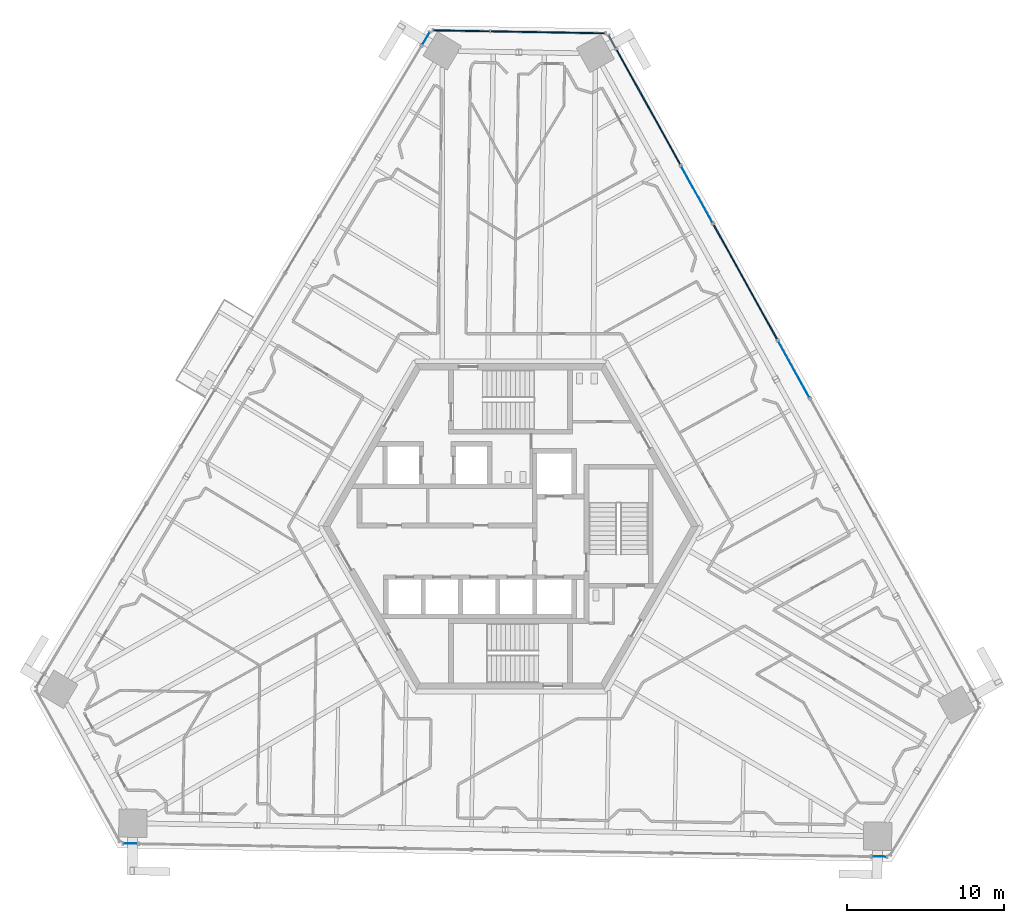
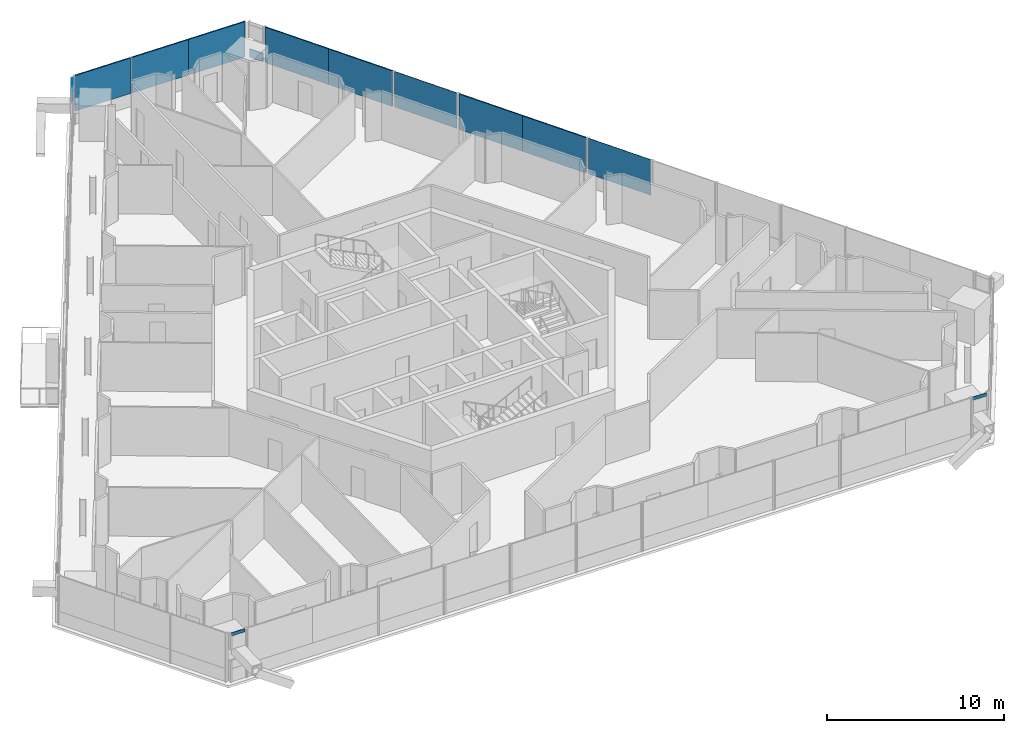
# One storey, part 13 of 24: 13 plates, 9 elements without a shape of their own.
"""IFC4 building model written with IfcOpenShell, lengths in metres."""

import ifcopenshell
import ifcopenshell.guid

model = None  # the IFC model being written
_history = None  # IfcOwnerHistory: only IFC2X3 demands one
_inside = {}  # id of a spatial element -> (the spatial element, [elements in it])
_under = {}  # id of a project, library or spatial element -> (it, [spatial elements below it])
_declared = {}  # id of a project -> (the project, [libraries it declares])
_typed = {}  # id of a type object -> (the type object, [elements of that type])
_made_of = {}  # id of a material, layer set ... -> (it, [elements and type objects made of it])


def new_model(schema):
    """Start an empty IFC model of exactly this schema.

    Asked for "IFC4X3", IfcOpenShell would pick the latest addendum, in which some entities
    have other attributes; the version numbers below select the first issue.
    IFC2X3 requires an IfcOwnerHistory on every rooted entity: one is made here for all.
    """
    global model, _history
    if schema == "IFC4X3":
        model = ifcopenshell.file(schema_version=(4, 3, 0, 0))
    else:
        model = ifcopenshell.file(schema=schema)
    _inside.clear()
    _under.clear()
    _declared.clear()
    _typed.clear()
    _made_of.clear()
    _history = None
    if model.schema == "IFC2X3":
        org = make("IfcOrganization", Name="unknown")
        user = make(
            "IfcPersonAndOrganization",
            ThePerson=make("IfcPerson", FamilyName="unknown"),
            TheOrganization=org,
        )
        app = make(
            "IfcApplication",
            ApplicationDeveloper=org,
            Version="unknown",
            ApplicationFullName="unknown",
            ApplicationIdentifier="unknown",
        )
        _history = make(
            "IfcOwnerHistory",
            OwningUser=user,
            OwningApplication=app,
            ChangeAction="ADDED",
            CreationDate=0,
        )
    return model


def make(cls, **values):
    """One entity of the class cls with the attributes given. An attribute that is None is left unset."""
    return model.create_entity(
        cls, **{name: value for name, value in values.items() if value is not None}
    )


def rooted(cls, **values):
    """An entity with a GlobalId (a new one), such as an element, a storey or a relation."""
    return make(cls, GlobalId=ifcopenshell.guid.new(), OwnerHistory=_history, **values)


def si_unit(unit_type, name, prefix=None):
    """IfcSIUnit, for example si_unit("LENGTHUNIT", "METRE", prefix="MILLI")."""
    return make("IfcSIUnit", UnitType=unit_type, Prefix=prefix, Name=name)


def assignment(units):
    """IfcUnitAssignment: the units of a project."""
    return None if units is None else make("IfcUnitAssignment", Units=units)


def point(xyz):
    """IfcCartesianPoint."""
    return None if xyz is None else make("IfcCartesianPoint", Coordinates=xyz)


def direction(xyz):
    """IfcDirection."""
    return None if xyz is None else make("IfcDirection", DirectionRatios=xyz)


def frame(location, z_axis=None, x_axis=None):
    """IfcAxis2Placement3D, a coordinate frame: its origin and axes. An axis left out is left unset."""
    return make(
        "IfcAxis2Placement3D",
        Location=point(location),
        Axis=direction(z_axis),
        RefDirection=direction(x_axis),
    )


def frame_2d(location, x_axis=None):
    """IfcAxis2Placement2D, a coordinate frame in the plane: its origin and x axis."""
    return make(
        "IfcAxis2Placement2D", Location=point(location), RefDirection=direction(x_axis)
    )


def origin():
    """The frame at (0, 0, 0) with its axes left unset."""
    return frame((0.0, 0.0, 0.0))


def origin_2d():
    """The frame at (0, 0) in the plane with its x axis left unset."""
    return frame_2d((0.0, 0.0))


def place(relative_to, where):
    """IfcLocalPlacement: puts the frame where relative to a parent placement (None: the world)."""
    return make(
        "IfcLocalPlacement", PlacementRelTo=relative_to, RelativePlacement=where
    )


def context(
    kind, dimensions, precision=None, world=None, true_north=None, identifier=None
):
    """IfcGeometricRepresentationContext, for example the 3D "Model" context."""
    return make(
        "IfcGeometricRepresentationContext",
        ContextIdentifier=identifier,
        ContextType=kind,
        CoordinateSpaceDimension=dimensions,
        Precision=precision,
        WorldCoordinateSystem=world,
        TrueNorth=true_north,
    )


def subcontext(parent, identifier, kind, view, scale=None):
    """IfcGeometricRepresentationSubContext, for example "Body" below "Model"."""
    return make(
        "IfcGeometricRepresentationSubContext",
        ContextIdentifier=identifier,
        ContextType=kind,
        ParentContext=parent,
        TargetScale=scale,
        TargetView=view,
    )


def project(units=None, contexts=None):
    """IfcProject with its units and contexts."""
    return rooted(
        "IfcProject",
        Name="project",
        RepresentationContexts=contexts,
        UnitsInContext=assignment(units),
    )


def spatial(cls, under=None, at=None, **own):
    """A site, building, storey or space (cls), placed at a placement, below another one or the project."""
    s = rooted(cls, ObjectPlacement=at, **own)
    if under is not None:
        _under.setdefault(under.id(), (under, []))[1].append(s)
    return s


def profile(cls, at=None, kind="AREA", **sizes):
    """A parametric profile (cls). Its sizes go by their IFC names, for example OverallWidth=200.0."""
    return make(cls, ProfileType=kind, Position=at, **sizes)


def rectangle(**sizes):
    """IfcRectangleProfileDef."""
    return profile("IfcRectangleProfileDef", **sizes)


def extrude(swept, where, along, depth):
    """IfcExtrudedAreaSolid: the profile swept, set in the frame where, extruded along a direction by depth."""
    return make(
        "IfcExtrudedAreaSolid",
        SweptArea=swept,
        Position=where,
        ExtrudedDirection=direction(along),
        Depth=depth,
    )


def shape(context_of_items, identifier, shape_type, items):
    """IfcShapeRepresentation: the items that make up one representation, for example the "Body"."""
    return make(
        "IfcShapeRepresentation",
        ContextOfItems=context_of_items,
        RepresentationIdentifier=identifier,
        RepresentationType=shape_type,
        Items=items,
    )


def source(mapping_origin, context_of_items, identifier, shape_type, items):
    """IfcRepresentationMap: a shape defined once, which mapped items show again and again."""
    return make(
        "IfcRepresentationMap",
        MappingOrigin=mapping_origin,
        MappedRepresentation=shape(context_of_items, identifier, shape_type, items),
    )


def transform(
    local_origin,
    x_axis=None,
    y_axis=None,
    z_axis=None,
    scale=None,
    scale2=None,
    scale3=None,
    uniform=True,
):
    """IfcCartesianTransformationOperator3D, or its non-uniform kind. x_axis, y_axis, z_axis: its Axis1, 2, 3."""
    if uniform:
        return make(
            "IfcCartesianTransformationOperator3D",
            Axis1=direction(x_axis),
            Axis2=direction(y_axis),
            LocalOrigin=point(local_origin),
            Scale=scale,
            Axis3=direction(z_axis),
        )
    return make(
        "IfcCartesianTransformationOperator3DnonUniform",
        Axis1=direction(x_axis),
        Axis2=direction(y_axis),
        LocalOrigin=point(local_origin),
        Scale=scale,
        Axis3=direction(z_axis),
        Scale2=scale2,
        Scale3=scale3,
    )


def mapped(mapping_source, mapping_target):
    """IfcMappedItem: shows the shape of a source again, moved by a transform."""
    return make(
        "IfcMappedItem", MappingSource=mapping_source, MappingTarget=mapping_target
    )


def material(Name=None, Category=None):
    """IfcMaterial."""
    return make("IfcMaterial", Name=Name, Category=Category)


def layer(
    of_material, thickness, ventilated=None, Name=None, Category=None, Priority=None
):
    """IfcMaterialLayer: one layer of a wall or slab, of a material (None: an air gap)."""
    return make(
        "IfcMaterialLayer",
        Material=of_material,
        LayerThickness=thickness,
        IsVentilated=ventilated,
        Name=Name,
        Category=Category,
        Priority=Priority,
    )


def layer_set(layers, Name=None):
    """IfcMaterialLayerSet."""
    return make("IfcMaterialLayerSet", MaterialLayers=layers, LayerSetName=Name)


def made_of(thing, what):
    """Note that an element or type object is made of a material, layer set ...; save() writes the relation."""
    if what is not None:
        _made_of.setdefault(what.id(), (what, []))[1].append(thing)
    return thing


def type_object(cls, material=None, **own):
    """A type object (cls), such as IfcWallType, which elements share."""
    return made_of(rooted(cls, **own), material)


def element(
    cls,
    number,
    at=None,
    inside=None,
    cuts=None,
    type_object=None,
    material=None,
    context=None,
    identifier="Body",
    shape_type=None,
    held_by="IfcProductDefinitionShape",
    body=None,
    shapes=None,
    **own,
):
    """One element of the class cls, such as IfcWall. Its Tag is "e" and its number.

    at: its placement. inside: the storey or other place that contains it. cuts: it is an
    opening in that element (IfcRelVoidsElement). A single representation is given by context,
    identifier, shape_type and body (its items); several are given by shapes. held_by: the class
    of the entity that holds the representations. save() writes the other relations.
    """
    e = rooted(cls, Tag="e%d" % number, ObjectPlacement=at, **own)
    if body is not None:
        shapes = [shape(context, identifier, shape_type, body)]
    if shapes is not None:
        e.Representation = make(held_by, Representations=shapes)
    if inside is not None:
        _inside.setdefault(inside.id(), (inside, []))[1].append(e)
    if cuts is not None:
        rooted(
            "IfcRelVoidsElement", RelatingBuildingElement=cuts, RelatedOpeningElement=e
        )
    if type_object is not None:
        _typed.setdefault(type_object.id(), (type_object, []))[1].append(e)
    return made_of(e, material)


def aggregate(whole, parts):
    """IfcRelAggregates: a whole, such as a stair, and the parts it consists of."""
    return rooted("IfcRelAggregates", RelatingObject=whole, RelatedObjects=parts)


def save(model, path):
    """Write the relations noted so far, then the file.

    IfcRelAggregates (storeys below a building ...), IfcRelContainedInSpatialStructure (elements
    in a storey), IfcRelDefinesByType, IfcRelAssociatesMaterial and IfcRelDeclares: one each for
    every whole, place, type object, material and project.
    """
    for whole, parts in _under.values():
        aggregate(whole, parts)
    for where, things in _inside.values():
        rooted(
            "IfcRelContainedInSpatialStructure",
            RelatedElements=things,
            RelatingStructure=where,
        )
    for kind, things in _typed.values():
        rooted("IfcRelDefinesByType", RelatedObjects=things, RelatingType=kind)
    for what, things in _made_of.values():
        rooted("IfcRelAssociatesMaterial", RelatedObjects=things, RelatingMaterial=what)
    for by, libraries in _declared.values():
        rooted("IfcRelDeclares", RelatingContext=by, RelatedDefinitions=libraries)
    model.write(path)


model = new_model("IFC4")

# Units and contexts
model_context = context("Model", 3, precision=1e-05, world=origin(), true_north=direction((0.0, 1.0)))
body_context = subcontext(model_context, "Body", "Model", "MODEL_VIEW")
ifc_project = project(units=[si_unit("LENGTHUNIT", "METRE"), si_unit("AREAUNIT", "SQUARE_METRE"), si_unit("VOLUMEUNIT", "CUBIC_METRE"), si_unit("PLANEANGLEUNIT", "RADIAN"), si_unit("MASSUNIT", "GRAM", prefix="KILO")], contexts=[model_context])

# Site, building, storey
site_placement = place(None, origin())
site = spatial("IfcSite", under=ifc_project, at=site_placement, CompositionType="ELEMENT")
building_placement = place(site_placement, origin())
building = spatial("IfcBuilding", under=site, at=building_placement, Name="Triune Harvest Tower", CompositionType="ELEMENT")
storey_placement = place(building_placement, frame((0.0, 0.0, 212.300048828125)))
storey = spatial("IfcBuildingStorey", under=building, at=storey_placement, Name="L55", CompositionType="ELEMENT", Elevation=212.300048828125)

# Curtain wall, plate
ifc_material_1 = material(Name="Aluminium bronze anodised", Category="aluminium")
curtain_wall_type_1 = type_object("IfcCurtainWallType", Name="CW-1 Tower stick curtain wall", PredefinedType="NOTDEFINED", material=ifc_material_1)
curtain_wall_1_placement = place(storey_placement, origin())
curtain_wall_1 = element("IfcCurtainWall", 1, at=curtain_wall_1_placement, inside=storey, type_object=curtain_wall_type_1, Name="CW-1 B5-F5 L55 run 101")
ifc_material_2 = material(Name="Glass", Category="glass")
ifc_layer_1 = layer(ifc_material_2, 0.031982421875)
ifc_layer_set_1 = layer_set([ifc_layer_1], Name="Glass")
plate_type_1 = type_object("IfcPlateType", Name="GL-1 panel 32", PredefinedType="CURTAIN_PANEL", material=ifc_layer_set_1)
shared_shape_1 = source(origin(), body_context, "Body", "SweptSolid", [
    extrude(rectangle(XDim=0.896728515625, YDim=0.031982421875, at=origin_2d()), origin(), (0.0, 0.0, 1.0), 0.215087890625),
])
plate_1_placement = place(storey_placement, frame((-24.27734375, -20.256591796875, 3.134765625), z_axis=(0.0, 0.0, 1.0), x_axis=(0.999848834448, -0.017387013935, 0.0)))
plate_1 = element("IfcPlate", 2, at=plate_1_placement, type_object=plate_type_1, Name="CW-1 panel B5-F5 101.1", PredefinedType="CURTAIN_PANEL", context=body_context, shape_type="MappedRepresentation", body=[
    mapped(shared_shape_1, transform((0.0, 0.0, 0.0), scale=1.0)),
])
aggregate(curtain_wall_1, [plate_1])

# Curtain wall, plates
ifc_material_3 = material(Name="Aluminium bronze anodised", Category="aluminium")
curtain_wall_type_2 = type_object("IfcCurtainWallType", Name="CW-7 Tower stick curtain wall with insulated spandrel infill", PredefinedType="NOTDEFINED", material=ifc_material_3)
curtain_wall_2_placement = place(storey_placement, origin())
curtain_wall_2 = element("IfcCurtainWall", 3, at=curtain_wall_2_placement, inside=storey, type_object=curtain_wall_type_2, Name="CW-7 B5-F1 L55 run 4201")
ifc_material_4 = material(Name="Insulated spandrel panel, bronze aluminium pan", Category="aluminium")
ifc_layer_2 = layer(ifc_material_4, 0.080078125)
ifc_layer_set_2 = layer_set([ifc_layer_2], Name="Insulated spandrel panel, bronze aluminium pan")
plate_type_2 = type_object("IfcPlateType", Name="SP-1 insulated spandrel panel 80", PredefinedType="CURTAIN_PANEL", material=ifc_layer_set_2)
shared_shape_2 = source(origin(), body_context, "Body", "SweptSolid", [
    extrude(rectangle(XDim=4.178955078125, YDim=0.080078125, at=origin_2d()), origin(), (0.0, 0.0, 1.0), 2.449951171875),
])
plate_2_placement = place(storey_placement, frame((16.004150390625, 13.777587890625, 0.89990234375), z_axis=(0.0, 0.0, 1.0), x_axis=(-0.484807416178, 0.874620928871, 0.0)))
plate_2 = element("IfcPlate", 4, at=plate_2_placement, type_object=plate_type_2, Name="CW-7 panel B5-F1 4201.1", PredefinedType="CURTAIN_PANEL", context=body_context, shape_type="MappedRepresentation", body=[
    mapped(shared_shape_2, transform((0.0, 0.0, 0.0), scale=1.0)),
])
plate_3_placement = place(storey_placement, frame((13.97802734375, 17.4326171875, 0.89990234375), z_axis=(0.0, 0.0, 1.0), x_axis=(-0.484807416178, 0.874620928871, 0.0)))
plate_3 = element("IfcPlate", 5, at=plate_3_placement, type_object=plate_type_2, Name="CW-7 panel B5-F1 4201.2", PredefinedType="CURTAIN_PANEL", context=body_context, shape_type="MappedRepresentation", body=[
    mapped(shared_shape_2, transform((0.0, 0.0, 0.0), scale=1.0)),
])
aggregate(curtain_wall_2, [plate_2, plate_3])

curtain_wall_3_placement = place(storey_placement, origin())
curtain_wall_3 = element("IfcCurtainWall", 6, at=curtain_wall_3_placement, inside=storey, type_object=curtain_wall_type_2, Name="CW-7 B5-F1 L55 run 6201")
plate_4_placement = place(storey_placement, frame((9.817138671875, 24.939453125, 0.89990234375), z_axis=(0.0, 0.0, 1.0), x_axis=(-0.484812400091, 0.874618166241, 0.0)))
plate_4 = element("IfcPlate", 7, at=plate_4_placement, type_object=plate_type_2, Name="CW-7 panel B5-F1 6201.1", PredefinedType="CURTAIN_PANEL", context=body_context, shape_type="MappedRepresentation", body=[
    mapped(shared_shape_2, transform((0.0, 0.0, 0.0), scale=1.0)),
])
plate_5_placement = place(storey_placement, frame((7.791015625, 28.594482421875, 0.89990234375), z_axis=(0.0, 0.0, 1.0), x_axis=(-0.484812400091, 0.874618166241, 0.0)))
plate_5 = element("IfcPlate", 8, at=plate_5_placement, type_object=plate_type_2, Name="CW-7 panel B5-F1 6201.2", PredefinedType="CURTAIN_PANEL", context=body_context, shape_type="MappedRepresentation", body=[
    mapped(shared_shape_2, transform((0.0, 0.0, 0.0), scale=1.0)),
])
aggregate(curtain_wall_3, [plate_4, plate_5])

# Curtain wall, plate
curtain_wall_4_placement = place(storey_placement, origin())
curtain_wall_4 = element("IfcCurtainWall", 9, at=curtain_wall_4_placement, inside=storey, type_object=curtain_wall_type_1, Name="CW-1 B5-F1 L55 run 3201")
shared_shape_3 = source(origin(), body_context, "Body", "SweptSolid", [
    extrude(rectangle(XDim=4.10400390625, YDim=0.031982421875, at=origin_2d()), origin(), (0.0, 0.0, 1.0), 2.449951171875),
])
plate_6_placement = place(storey_placement, frame((18.084716796875, 10.0244140625, 0.89990234375), z_axis=(0.0, 0.0, 1.0), x_axis=(-0.484826375259, 0.874610419475, 0.0)))
plate_6 = element("IfcPlate", 10, at=plate_6_placement, type_object=plate_type_1, Name="CW-1 panel B5-F1 3201.1", PredefinedType="CURTAIN_PANEL", context=body_context, shape_type="MappedRepresentation", body=[
    mapped(shared_shape_3, transform((0.0, 0.0, 0.0), scale=1.0)),
])
aggregate(curtain_wall_4, [plate_6])

curtain_wall_5_placement = place(storey_placement, origin())
curtain_wall_5 = element("IfcCurtainWall", 11, at=curtain_wall_5_placement, inside=storey, type_object=curtain_wall_type_1, Name="CW-1 B5-F1 L55 run 5201")
plate_7_placement = place(storey_placement, frame((11.8974609375, 21.18603515625, 0.89990234375), z_axis=(0.0, 0.0, 1.0), x_axis=(-0.484798424921, 0.874625912716, 0.0)))
plate_7 = element("IfcPlate", 12, at=plate_7_placement, type_object=plate_type_1, Name="CW-1 panel B5-F1 5201.1", PredefinedType="CURTAIN_PANEL", context=body_context, shape_type="MappedRepresentation", body=[
    mapped(shared_shape_3, transform((0.0, 0.0, 0.0), scale=1.0)),
])
aggregate(curtain_wall_5, [plate_7])

curtain_wall_6_placement = place(storey_placement, origin())
curtain_wall_6 = element("IfcCurtainWall", 13, at=curtain_wall_6_placement, inside=storey, type_object=curtain_wall_type_2, Name="CW-7 B5-F1 L55 run 301")
shared_shape_4 = source(origin(), body_context, "Body", "SweptSolid", [
    extrude(rectangle(XDim=0.89697265625, YDim=0.080078125, at=origin_2d()), origin(), (0.0, 0.0, 1.0), 0.56494140625),
])
plate_8_placement = place(storey_placement, frame((6.48779296875, 30.9453125, 0.89990234375), z_axis=(0.0, 0.0, 1.0), x_axis=(-0.484823649537, 0.874611930429, 0.0)))
plate_8 = element("IfcPlate", 14, at=plate_8_placement, type_object=plate_type_2, Name="CW-7 panel B5-F1 301.1", PredefinedType="CURTAIN_PANEL", context=body_context, shape_type="MappedRepresentation", body=[
    mapped(shared_shape_4, transform((0.0, 0.0, 0.0), scale=1.0)),
])
aggregate(curtain_wall_6, [plate_8])

curtain_wall_7_placement = place(storey_placement, origin())
curtain_wall_7 = element("IfcCurtainWall", 15, at=curtain_wall_7_placement, inside=storey, type_object=curtain_wall_type_1, Name="CW-1 B5-F5 L55 run 401")
shared_shape_5 = source(origin(), body_context, "Body", "SweptSolid", [
    extrude(rectangle(XDim=0.89697265625, YDim=0.031982421875, at=origin_2d()), origin(), (0.0, 0.0, 1.0), 0.215087890625),
])
plate_9_placement = place(storey_placement, frame((23.5556640625, -21.09130859375, 3.134765625), z_axis=(0.0, 0.0, 1.0), x_axis=(0.999848863324, -0.017385353313, 0.0)))
plate_9 = element("IfcPlate", 16, at=plate_9_placement, type_object=plate_type_1, Name="CW-1 panel B5-F5 401.1", PredefinedType="CURTAIN_PANEL", context=body_context, shape_type="MappedRepresentation", body=[
    mapped(shared_shape_5, transform((0.0, 0.0, 0.0), scale=1.0)),
])
aggregate(curtain_wall_7, [plate_9])

# Curtain wall, plates
curtain_wall_8_placement = place(storey_placement, origin())
curtain_wall_8 = element("IfcCurtainWall", 17, at=curtain_wall_8_placement, inside=storey, type_object=curtain_wall_type_2, Name="CW-7 B5-F2 L55 run 1")
shared_shape_6 = source(origin(), body_context, "Body", "SweptSolid", [
    extrude(rectangle(XDim=3.625, YDim=0.080078125, at=origin_2d()), origin(), (0.0, 0.0, 1.0), 2.449951171875),
])
plate_10_placement = place(storey_placement, frame((4.213134765625, 31.516357421875, 0.89990234375), z_axis=(0.0, 0.0, 1.0), x_axis=(-0.999847801404, 0.017446318452, 0.0)))
plate_10 = element("IfcPlate", 18, at=plate_10_placement, type_object=plate_type_2, Name="CW-7 panel B5-F2 1.1", PredefinedType="CURTAIN_PANEL", context=body_context, shape_type="MappedRepresentation", body=[
    mapped(shared_shape_6, transform((0.0, 0.0, 0.0), scale=1.0)),
])
shared_shape_7 = source(origin(), body_context, "Body", "SweptSolid", [
    extrude(rectangle(XDim=3.66259765625, YDim=0.080078125, at=origin_2d()), origin(), (0.0, 0.0, 1.0), 2.449951171875),
])
plate_11_placement = place(storey_placement, frame((0.570068359375, 31.580078125, 0.89990234375), z_axis=(0.0, 0.0, 1.0), x_axis=(-0.999847801404, 0.017446318452, 0.0)))
plate_11 = element("IfcPlate", 19, at=plate_11_placement, type_object=plate_type_2, Name="CW-7 panel B5-F2 1.2", PredefinedType="CURTAIN_PANEL", context=body_context, shape_type="MappedRepresentation", body=[
    mapped(shared_shape_7, transform((0.0, 0.0, 0.0), scale=1.0)),
])
shared_shape_8 = source(origin(), body_context, "Body", "SweptSolid", [
    extrude(rectangle(XDim=3.587646484375, YDim=0.080078125, at=origin_2d()), origin(), (0.0, 0.0, 1.0), 2.449951171875),
])
plate_12_placement = place(storey_placement, frame((-3.129638671875, 31.64453125, 0.89990234375), z_axis=(0.0, 0.0, 1.0), x_axis=(-0.999847801404, 0.017446318452, 0.0)))
plate_12 = element("IfcPlate", 20, at=plate_12_placement, type_object=plate_type_2, Name="CW-7 panel B5-F2 1.3", PredefinedType="CURTAIN_PANEL", context=body_context, shape_type="MappedRepresentation", body=[
    mapped(shared_shape_8, transform((0.0, 0.0, 0.0), scale=1.0)),
])
aggregate(curtain_wall_8, [plate_10, plate_11, plate_12])

# Curtain wall, plate
ifc_material_5 = material(Name="Aluminium bronze anodised", Category="aluminium")
curtain_wall_type_3 = type_object("IfcCurtainWallType", Name="CW-6 Balcony window wall", PredefinedType="NOTDEFINED", material=ifc_material_5)
curtain_wall_9_placement = place(storey_placement, origin())
curtain_wall_9 = element("IfcCurtainWall", 21, at=curtain_wall_9_placement, inside=storey, type_object=curtain_wall_type_3, Name="CW-6 B5-F3 L55 run 101")
ifc_material_6 = material(Name="Glass", Category="glass")
ifc_layer_3 = layer(ifc_material_6, 0.030029296875)
ifc_layer_set_3 = layer_set([ifc_layer_3], Name="Glass")
plate_type_3 = type_object("IfcPlateType", Name="GL-6 panel 30", PredefinedType="CURTAIN_PANEL", material=ifc_layer_set_3)
shared_shape_9 = source(origin(), body_context, "Body", "SweptSolid", [
    extrude(rectangle(XDim=0.896728515625, YDim=0.030029296875, at=origin_2d()), origin(), (0.0, 0.0, 1.0), 0.965087890625),
])
plate_13_placement = place(storey_placement, frame((-5.404052734375, 31.15283203125, 2.384765625), z_axis=(0.0, 0.0, 1.0), x_axis=(-0.515001412204, -0.857189328811, 0.0)))
plate_13 = element("IfcPlate", 22, at=plate_13_placement, type_object=plate_type_3, Name="CW-6 panel B5-F3 101.1", PredefinedType="CURTAIN_PANEL", context=body_context, shape_type="MappedRepresentation", body=[
    mapped(shared_shape_9, transform((0.0, 0.0, 0.0), scale=1.0)),
])
aggregate(curtain_wall_9, [plate_13])

save(model, "model.ifc")
